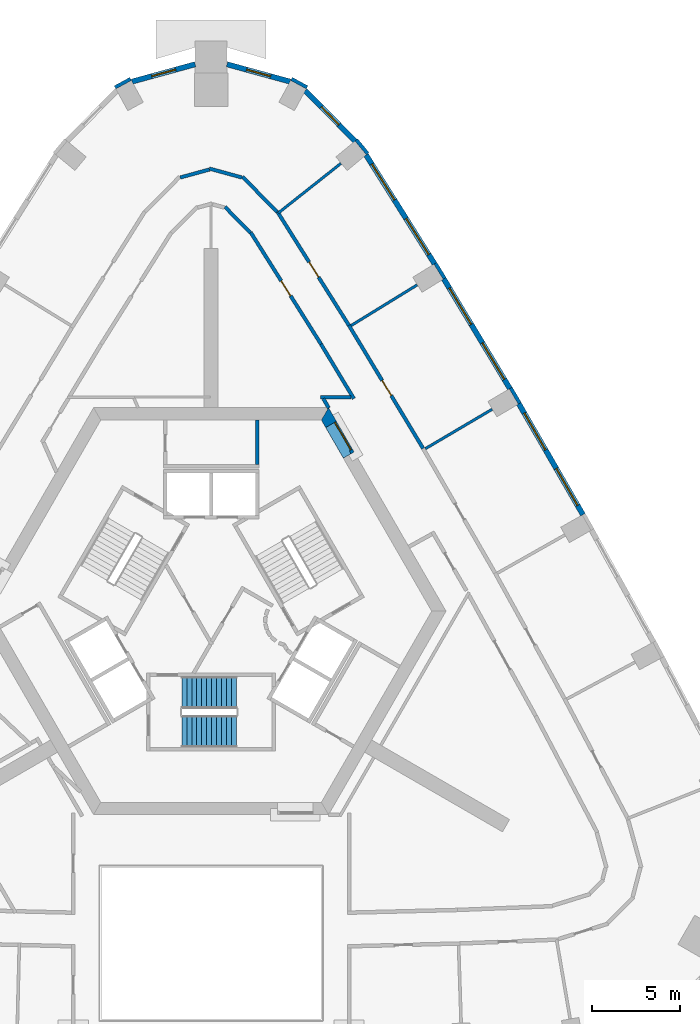
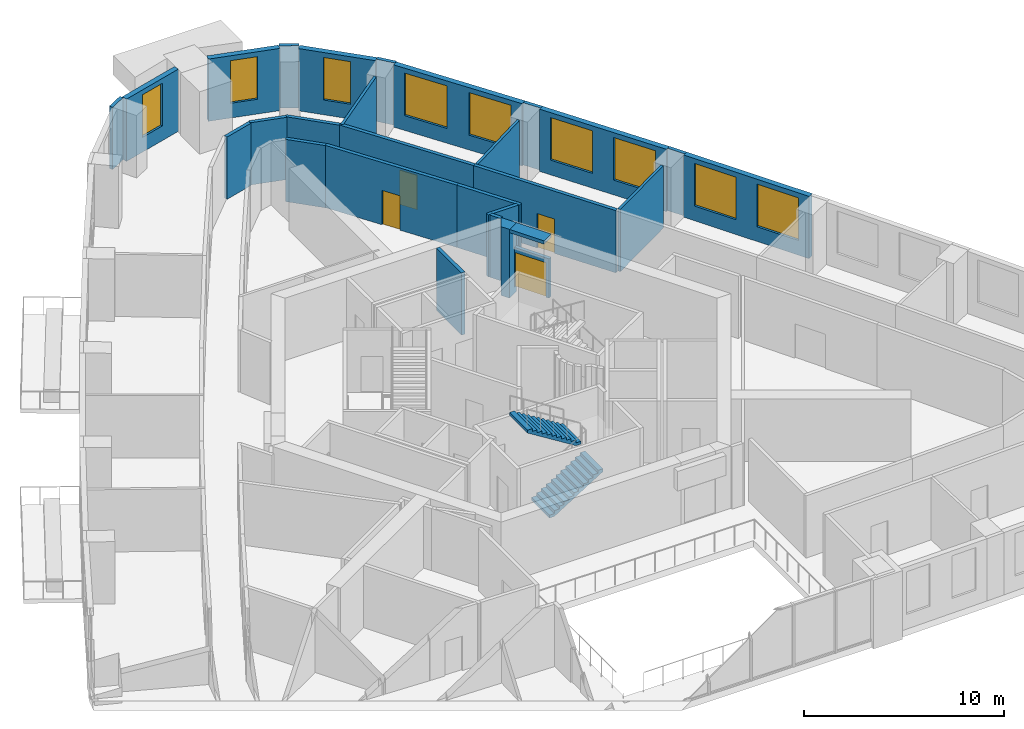
# One storey, part 9 of 13: 28 walls, 9 windows, 4 doors, 2 stair flights, 13 openings, 1 element without a shape of its own.
"""IFC4 building model written with IfcOpenShell, lengths in metres."""

from ifc_helpers import new_model, si_unit, direction, frame, frame_2d, origin, place, context, subcontext, project, spatial, polyline, rectangle, outline, extrude, material, layer, layer_set, type_object, element, fill, aggregate, save


model = new_model("IFC4")

# Units and contexts
model_context = context("Model", 3, precision=1e-05, world=origin(), true_north=direction((0.0, 1.0)))
body_context = subcontext(model_context, "Body", "Model", "MODEL_VIEW")
ifc_project = project(units=[si_unit("LENGTHUNIT", "METRE"), si_unit("AREAUNIT", "SQUARE_METRE"), si_unit("VOLUMEUNIT", "CUBIC_METRE"), si_unit("PLANEANGLEUNIT", "RADIAN"), si_unit("MASSUNIT", "GRAM", prefix="KILO")], contexts=[model_context])

# Site, building, storey
site_placement = place(None, origin())
site = spatial("IfcSite", under=ifc_project, at=site_placement, CompositionType="ELEMENT")
building_placement = place(site_placement, origin())
building = spatial("IfcBuilding", under=site, at=building_placement, Name="Entoto Arch Interchange Tower", CompositionType="ELEMENT")
storey_placement = place(building_placement, frame((0.0, 0.0, 210.800048828125)))
storey = spatial("IfcBuildingStorey", under=building, at=storey_placement, Name="L47", CompositionType="ELEMENT", Elevation=210.800048828125)

# Wall, opening, door
ifc_material_1 = material(Name="Reinforced concrete C40/50", Category="concrete")
ifc_layer_1 = layer(ifc_material_1, 0.199951171875)
ifc_layer_set_1 = layer_set([ifc_layer_1], Name="Reinforced concrete C40/50")
wall_type_1 = type_object("IfcWallType", Name="CORE GAP INFILL WALL", PredefinedType="PARTITIONING", material=ifc_layer_set_1)
wall_1_placement = place(storey_placement, frame((7.9970703125, 11.447998046875, 0.0), z_axis=(0.0, 0.0, 1.0), x_axis=(-0.50002537861, 0.866010750942, 0.0)))
wall_1 = element("IfcWall", 1, at=wall_1_placement, inside=storey, type_object=wall_type_1, Name="wall:L47:gap2", PredefinedType="PARTITIONING", context=body_context, shape_type="SweptSolid", body=[
    extrude(rectangle(XDim=2.0, YDim=0.199951171875, at=frame_2d((1.0, 0.0))), origin(), (0.0, 0.0, 1.0), 2.39990234375),
])
opening_1_placement = place(wall_1_placement, frame((0.18994140625, 0.0, 0.0)))
opening_1 = element("IfcOpeningElement", 2, at=opening_1_placement, cuts=wall_1, Name="Opening L47-D92", PredefinedType="OPENING", context=body_context, shape_type="SweptSolid", body=[
    extrude(rectangle(XDim=1.800048828125, YDim=2.10009765625, at=frame_2d((0.89990234375, 1.050048828125))), frame((0.0, 0.10986328125, 0.0), z_axis=(0.0, -1.0, 0.0), x_axis=(1.0, 0.0, 0.0)), (0.0, 0.0, 1.0), 0.219970703125),
])
ifc_material_2 = material(Name="Fire-rated Steel S235 door and frame", Category="steel")
door_type_1 = type_object("IfcDoorType", Name="DOOR FD-18 1800x2100", OperationType="DOUBLE_DOOR_SINGLE_SWING", PredefinedType="DOOR", material=ifc_material_2)
door_1_placement = place(opening_1_placement, origin())
door_1 = element("IfcDoor", 3, at=door_1_placement, inside=storey, type_object=door_type_1, Name="door:L47:gap2", OperationType="DOUBLE_DOOR_SINGLE_SWING", OverallHeight=2.10009765625, OverallWidth=1.800048828125, PredefinedType="DOOR", context=body_context, shape_type="SweptSolid", body=[
    extrude(rectangle(XDim=1.800048828125, YDim=2.10009765625, at=frame_2d((0.89990234375, 1.050048828125))), frame((0.0, 0.02490234375, 0.0), z_axis=(0.0, -1.0, 0.0), x_axis=(1.0, 0.0, 0.0)), (0.0, 0.0, 1.0), 0.050048828125),
])
fill(opening_1, door_1)

# Walls
ifc_material_3 = material(Name="Concrete C50/60", Category="concrete")
ifc_layer_2 = layer(ifc_material_3, 0.699951171875)
ifc_layer_set_2 = layer_set([ifc_layer_2], Name="Concrete C50/60")
wall_type_2 = type_object("IfcWallType", Name="Core wall 700 C50/60", PredefinedType="SHEAR", material=ifc_layer_set_2)
wall_2_placement = place(storey_placement, frame((0.0, 0.0, -0.400146484375)))
element("IfcWall", 4, at=wall_2_placement, inside=storey, type_object=wall_type_2, Name="Core wall NE L47", PredefinedType="SHEAR", context=body_context, shape_type="SweptSolid", body=[
    extrude(outline(polyline([(6.47802734375, 12.8798828125), (7.083984375, 13.22998046875), (6.639892578125, 14.0), (6.235107421875, 13.300048828125), (6.47802734375, 12.8798828125)])), origin(), (0.0, 0.0, 1.0), 4.2001953125),
])
wall_3_placement = place(storey_placement, frame((0.0, 0.0, 3.599853515625)))
element("IfcWall", 5, at=wall_3_placement, inside=storey, type_object=wall_type_2, Name="Core wall lintel NE L47", PredefinedType="SHEAR", context=body_context, shape_type="SweptSolid", body=[
    extrude(outline(polyline([(7.083984375, 13.22998046875), (6.47802734375, 12.8798828125), (7.47802734375, 11.14794921875), (8.083984375, 11.498046875), (7.083984375, 13.22998046875)])), origin(), (0.0, 0.0, 1.0), 0.2001953125),
])
ifc_material_4 = material(Name="Gypsum board partition on steel studs", Category="steel")
ifc_layer_3 = layer(ifc_material_4, 0.14990234375)
ifc_layer_set_3 = layer_set([ifc_layer_3], Name="Gypsum board partition on steel studs")
wall_type_3 = type_object("IfcWallType", Name="PARTITION 150", PredefinedType="PARTITIONING", material=ifc_layer_set_3)
wall_4_placement = place(storey_placement, frame((12.111083984375, 11.68408203125, 0.0), z_axis=(0.0, 0.0, 1.0), x_axis=(0.861290233547, 0.508113307833, 0.0)))
element("IfcWall", 6, at=wall_4_placement, inside=storey, type_object=wall_type_3, Name="wall:L47:p114", PredefinedType="PARTITIONING", context=body_context, shape_type="SweptSolid", body=[
    extrude(rectangle(XDim=4.380615234375, YDim=0.14990234375, at=frame_2d((2.1904296875, 0.0))), origin(), (0.0, 0.0, 1.0), 3.800048828125),
])
wall_5_placement = place(storey_placement, frame((7.916015625, 18.64404296875, 0.0), z_axis=(0.0, 0.0, 1.0), x_axis=(0.851543444049, 0.524284047914, 0.0)))
element("IfcWall", 7, at=wall_5_placement, inside=storey, type_object=wall_type_3, Name="wall:L47:p115", PredefinedType="PARTITIONING", context=body_context, shape_type="SweptSolid", body=[
    extrude(rectangle(XDim=4.379150390625, YDim=0.14990234375, at=frame_2d((2.189453125, 0.0))), origin(), (0.0, 0.0, 1.0), 3.800048828125),
])
wall_6_placement = place(storey_placement, frame((3.797119140625, 25.0029296875, 0.0), z_axis=(0.0, 0.0, 1.0), x_axis=(0.783893371826, 0.620895467536, 0.0)))
element("IfcWall", 8, at=wall_6_placement, inside=storey, type_object=wall_type_3, Name="wall:L47:p116", PredefinedType="PARTITIONING", context=body_context, shape_type="SweptSolid", body=[
    extrude(rectangle(XDim=4.514404296875, YDim=0.14990234375, at=frame_2d((2.25732421875, 0.0))), origin(), (0.0, 0.0, 1.0), 3.800048828125),
])
ifc_layer_4 = layer(ifc_material_4, 0.199951171875)
ifc_layer_set_4 = layer_set([ifc_layer_4], Name="Gypsum board partition on steel studs")
wall_type_4 = type_object("IfcWallType", Name="PARTITION 200", PredefinedType="PARTITIONING", material=ifc_layer_set_4)
wall_7_placement = place(storey_placement, frame((6.64892578125, 13.988037109375, 0.0), z_axis=(0.0, 0.0, 1.0), x_axis=(-0.499908430952, 0.866078264744, 0.0)))
element("IfcWall", 9, at=wall_7_placement, inside=storey, type_object=wall_type_4, Name="wall:L47:p005", PredefinedType="PARTITIONING", context=body_context, shape_type="SweptSolid", body=[
    extrude(rectangle(XDim=0.60595703125, YDim=0.199951171875, at=frame_2d((0.302978515625, 0.0))), origin(), (0.0, 0.0, 1.0), 3.800048828125),
])
wall_8_placement = place(storey_placement, frame((6.196044921875, 14.60009765625, 0.0), z_axis=(0.0, 0.0, 1.0), x_axis=(1.0, 0.0, 0.0)))
element("IfcWall", 10, at=wall_8_placement, inside=storey, type_object=wall_type_4, Name="wall:L47:p006", PredefinedType="PARTITIONING", context=body_context, shape_type="SweptSolid", body=[
    extrude(rectangle(XDim=1.721923828125, YDim=0.199951171875, at=frame_2d((0.86083984375, 0.0))), origin(), (0.0, 0.0, 1.0), 3.800048828125),
])
wall_9_placement = place(storey_placement, frame((8.070068359375, 14.513916015625, 0.0), z_axis=(0.0, 0.0, 1.0), x_axis=(-0.51624118739, 0.856443247648, 0.0)))
element("IfcWall", 11, at=wall_9_placement, inside=storey, type_object=wall_type_4, Name="wall:L47:p007", PredefinedType="PARTITIONING", context=body_context, shape_type="SweptSolid", body=[
    extrude(rectangle(XDim=3.597412109375, YDim=0.199951171875, at=frame_2d((1.798828125, 0.0))), origin(), (0.0, 0.0, 1.0), 3.800048828125),
])

# Wall, opening, door
wall_10_placement = place(storey_placement, frame((6.212890625, 17.594970703125, 0.0), z_axis=(0.0, 0.0, 1.0), x_axis=(-0.532527247309, 0.846412860768, 0.0)))
wall_10 = element("IfcWall", 12, at=wall_10_placement, inside=storey, type_object=wall_type_4, Name="wall:L47:p008", PredefinedType="PARTITIONING", context=body_context, shape_type="SweptSolid", body=[
    extrude(rectangle(XDim=7.448974609375, YDim=0.199951171875, at=frame_2d((3.724609375, 0.0))), origin(), (0.0, 0.0, 1.0), 3.800048828125),
])
opening_2_placement = place(wall_10_placement, frame((3.22509765625, 0.0, 0.0)))
opening_2 = element("IfcOpeningElement", 13, at=opening_2_placement, cuts=wall_10, Name="Opening L47-D17", PredefinedType="OPENING", context=body_context, shape_type="SweptSolid", body=[
    extrude(rectangle(XDim=1.0, YDim=2.10009765625, at=frame_2d((0.5, 1.050048828125))), frame((0.0, 0.10986328125, 0.0), z_axis=(0.0, -1.0, 0.0), x_axis=(1.0, 0.0, 0.0)), (0.0, 0.0, 1.0), 0.219970703125),
])
ifc_material_5 = material(Name="Timber door leaf in Steel S235 frame", Category="steel")
door_type_2 = type_object("IfcDoorType", Name="DOOR DS-10 1000x2100", OperationType="SINGLE_SWING_LEFT", PredefinedType="DOOR", material=ifc_material_5)
door_2_placement = place(opening_2_placement, origin())
door_2 = element("IfcDoor", 14, at=door_2_placement, inside=storey, type_object=door_type_2, Name="door:L47:17", OperationType="SINGLE_SWING_LEFT", OverallHeight=2.10009765625, OverallWidth=1.0, PredefinedType="DOOR", context=body_context, shape_type="SweptSolid", body=[
    extrude(rectangle(XDim=1.0, YDim=2.10009765625, at=frame_2d((0.5, 1.050048828125))), frame((0.0, 0.02490234375, 0.0), z_axis=(0.0, -1.0, 0.0), x_axis=(1.0, 0.0, 0.0)), (0.0, 0.0, 1.0), 0.050048828125),
])
fill(opening_2, door_2)

# Wall
wall_11_placement = place(storey_placement, frame((2.22900390625, 23.886962890625, 0.0), z_axis=(0.0, 0.0, 1.0), x_axis=(-0.702245482258, 0.711934886523, 0.0)))
element("IfcWall", 15, at=wall_11_placement, inside=storey, type_object=wall_type_4, Name="wall:L47:p009", PredefinedType="PARTITIONING", context=body_context, shape_type="SweptSolid", body=[
    extrude(rectangle(XDim=2.066162109375, YDim=0.199951171875, at=frame_2d((1.033203125, 0.0))), origin(), (0.0, 0.0, 1.0), 3.800048828125),
])

# Wall, opening, door
wall_12_placement = place(storey_placement, frame((7.7919921875, 18.655029296875, 0.0), z_axis=(0.0, 0.0, 1.0), x_axis=(0.516293428925, -0.856411755669, 0.0)))
wall_12 = element("IfcWall", 16, at=wall_12_placement, inside=storey, type_object=wall_type_4, Name="wall:L47:p046", PredefinedType="PARTITIONING", context=body_context, shape_type="SweptSolid", body=[
    extrude(rectangle(XDim=8.12353515625, YDim=0.199951171875, at=frame_2d((4.061767578125, 0.0))), origin(), (0.0, 0.0, 1.0), 3.800048828125),
])
opening_3_placement = place(wall_12_placement, frame((3.636962890625, 0.0, 0.0)))
opening_3 = element("IfcOpeningElement", 17, at=opening_3_placement, cuts=wall_12, Name="Opening L47-D07", PredefinedType="OPENING", context=body_context, shape_type="SweptSolid", body=[
    extrude(rectangle(XDim=1.0, YDim=2.10009765625, at=frame_2d((0.5, 1.050048828125))), frame((0.0, 0.10986328125, 0.0), z_axis=(0.0, -1.0, 0.0), x_axis=(1.0, 0.0, 0.0)), (0.0, 0.0, 1.0), 0.219970703125),
])
door_3_placement = place(opening_3_placement, origin())
door_3 = element("IfcDoor", 18, at=door_3_placement, inside=storey, type_object=door_type_2, Name="door:L47:07", OperationType="SINGLE_SWING_RIGHT", OverallHeight=2.10009765625, OverallWidth=1.0, PredefinedType="DOOR", context=body_context, shape_type="SweptSolid", body=[
    extrude(rectangle(XDim=1.0, YDim=2.10009765625, at=frame_2d((0.5, 1.050048828125))), frame((0.0, 0.02490234375, 0.0), z_axis=(0.0, -1.0, 0.0), x_axis=(1.0, 0.0, 0.0)), (0.0, 0.0, 1.0), 0.050048828125),
])
fill(opening_3, door_3)

wall_13_placement = place(storey_placement, frame((3.743896484375, 25.0869140625, 0.0), z_axis=(0.0, 0.0, 1.0), x_axis=(0.532569549341, -0.846386244639, 0.0)))
wall_13 = element("IfcWall", 19, at=wall_13_placement, inside=storey, type_object=wall_type_4, Name="wall:L47:p047", PredefinedType="PARTITIONING", context=body_context, shape_type="SweptSolid", body=[
    extrude(rectangle(XDim=7.59912109375, YDim=0.199951171875, at=frame_2d((3.799560546875, 0.0))), origin(), (0.0, 0.0, 1.0), 3.800048828125),
])
opening_4_placement = place(wall_13_placement, frame((3.375, 0.0, 0.0)))
opening_4 = element("IfcOpeningElement", 20, at=opening_4_placement, cuts=wall_13, Name="Opening L47-D08", PredefinedType="OPENING", context=body_context, shape_type="SweptSolid", body=[
    extrude(rectangle(XDim=1.0, YDim=2.10009765625, at=frame_2d((0.5, 1.050048828125))), frame((0.0, 0.10986328125, 0.0), z_axis=(0.0, -1.0, 0.0), x_axis=(1.0, 0.0, 0.0)), (0.0, 0.0, 1.0), 0.219970703125),
])
door_4_placement = place(opening_4_placement, origin())
door_4 = element("IfcDoor", 21, at=door_4_placement, inside=storey, type_object=door_type_2, Name="door:L47:08", OperationType="SINGLE_SWING_LEFT", OverallHeight=2.10009765625, OverallWidth=1.0, PredefinedType="DOOR", context=body_context, shape_type="SweptSolid", body=[
    extrude(rectangle(XDim=1.0, YDim=2.10009765625, at=frame_2d((0.5, 1.050048828125))), frame((0.0, 0.02490234375, 0.0), z_axis=(0.0, -1.0, 0.0), x_axis=(1.0, 0.0, 0.0)), (0.0, 0.0, 1.0), 0.050048828125),
])
fill(opening_4, door_4)

# Walls
wall_14_placement = place(storey_placement, frame((-1.7470703125, 27.010986328125, 0.0), z_axis=(0.0, 0.0, 1.0), x_axis=(0.96452646446, 0.263986172662, 0.0)))
element("IfcWall", 22, at=wall_14_placement, inside=storey, type_object=wall_type_4, Name="wall:L47:p050", PredefinedType="PARTITIONING", context=body_context, shape_type="SweptSolid", body=[
    extrude(rectangle(XDim=1.7119140625, YDim=0.199951171875, at=frame_2d((0.85595703125, 0.0))), origin(), (0.0, 0.0, 1.0), 3.800048828125),
])
wall_15_placement = place(storey_placement, frame((-0.095947265625, 27.51611328125, 0.0), z_axis=(0.0, 0.0, 1.0), x_axis=(0.964432860438, -0.264327935918, 0.0)))
element("IfcWall", 23, at=wall_15_placement, inside=storey, type_object=wall_type_4, Name="wall:L47:p051", PredefinedType="PARTITIONING", context=body_context, shape_type="SweptSolid", body=[
    extrude(rectangle(XDim=1.910888671875, YDim=0.199951171875, at=frame_2d((0.95556640625, 0.0))), origin(), (0.0, 0.0, 1.0), 3.800048828125),
])
wall_16_placement = place(storey_placement, frame((1.77294921875, 27.055908203125, 0.0), z_axis=(0.0, 0.0, 1.0), x_axis=(0.702089218366, -0.712088989842, 0.0)))
element("IfcWall", 24, at=wall_16_placement, inside=storey, type_object=wall_type_4, Name="wall:L47:p052", PredefinedType="PARTITIONING", context=body_context, shape_type="SweptSolid", body=[
    extrude(rectangle(XDim=2.783203125, YDim=0.199951171875, at=frame_2d((1.3916015625, 0.0))), origin(), (0.0, 0.0, 1.0), 3.800048828125),
])
wall_17_placement = place(storey_placement, frame((2.60009765625, 13.300048828125, 0.0), z_axis=(0.0, 0.0, 1.0), x_axis=(0.0, -1.0, 0.0)))
element("IfcWall", 25, at=wall_17_placement, inside=storey, type_object=wall_type_4, Name="wall:L47:p067", PredefinedType="PARTITIONING", context=body_context, shape_type="SweptSolid", body=[
    extrude(rectangle(XDim=2.5, YDim=0.199951171875, at=frame_2d((1.25, 0.0))), origin(), (0.0, 0.0, 1.0), 3.800048828125),
])

# Wall, openings, windows
ifc_material_6 = material(Name="Welded tuff (ignimbrite) cladding, warm buff", Category="masonry")
ifc_layer_5 = layer(ifc_material_6, 0.300048828125)
ifc_layer_set_5 = layer_set([ifc_layer_5], Name="Welded tuff (ignimbrite) cladding, warm buff")
wall_type_5 = type_object("IfcWallType", Name="STONE INFILL WALL 300", PredefinedType="STANDARD", material=ifc_layer_set_5)
wall_18_placement = place(storey_placement, frame((21.01904296875, 7.955078125, 0.0), z_axis=(0.0, 0.0, 1.0), x_axis=(-0.500012402131, 0.866018243292, 0.0)))
wall_18 = element("IfcWall", 26, at=wall_18_placement, inside=storey, type_object=wall_type_5, Name="Facade wall NE-03 L47", PredefinedType="STANDARD", context=body_context, shape_type="SweptSolid", body=[
    extrude(rectangle(XDim=7.239990234375, YDim=0.300048828125, at=frame_2d((3.6201171875, 0.0))), origin(), (0.0, 0.0, 1.0), 3.800048828125),
])
opening_5_placement = place(wall_18_placement, frame((0.610107421875, 0.0, 0.89990234375)))
opening_5 = element("IfcOpeningElement", 27, at=opening_5_placement, cuts=wall_18, Name="Opening WO-A", PredefinedType="OPENING", context=body_context, shape_type="SweptSolid", body=[
    extrude(rectangle(XDim=2.39990234375, YDim=2.60009765625, at=frame_2d((1.199951171875, 1.300048828125))), frame((0.0, 0.16015625, 0.0), z_axis=(0.0, -1.0, 0.0), x_axis=(1.0, 0.0, 0.0)), (0.0, 0.0, 1.0), 0.320068359375),
])
opening_6_placement = place(wall_18_placement, frame((4.22998046875, 0.0, 0.89990234375)))
opening_6 = element("IfcOpeningElement", 28, at=opening_6_placement, cuts=wall_18, Name="Opening WO-A", PredefinedType="OPENING", context=body_context, shape_type="SweptSolid", body=[
    extrude(rectangle(XDim=2.39990234375, YDim=2.60009765625, at=frame_2d((1.199951171875, 1.300048828125))), frame((0.0, 0.16015625, 0.0), z_axis=(0.0, -1.0, 0.0), x_axis=(1.0, 0.0, 0.0)), (0.0, 0.0, 1.0), 0.320068359375),
])
ifc_material_7 = material(Name="Clear glass, low-e double glazed", Category="glass")
window_type_1 = type_object("IfcWindowType", Name="WINDOW WO-A 2400x2600", PartitioningType="DOUBLE_PANEL_VERTICAL", PredefinedType="WINDOW", material=ifc_material_7)
window_1_placement = place(opening_5_placement, origin())
window_1 = element("IfcWindow", 29, at=window_1_placement, inside=storey, type_object=window_type_1, Name="Window WO-A NE-03 L47", OverallHeight=2.60009765625, OverallWidth=2.39990234375, PartitioningType="SINGLE_PANEL", PredefinedType="WINDOW", context=body_context, shape_type="SweptSolid", body=[
    extrude(rectangle(XDim=2.39990234375, YDim=2.60009765625, at=frame_2d((1.199951171875, 1.300048828125))), frame((0.0, 0.030029296875, 0.0), z_axis=(0.0, -1.0, 0.0), x_axis=(1.0, 0.0, 0.0)), (0.0, 0.0, 1.0), 0.06005859375),
])
fill(opening_5, window_1)
window_2_placement = place(opening_6_placement, origin())
window_2 = element("IfcWindow", 30, at=window_2_placement, inside=storey, type_object=window_type_1, Name="Window WO-A NE-03 L47", OverallHeight=2.60009765625, OverallWidth=2.39990234375, PartitioningType="SINGLE_PANEL", PredefinedType="WINDOW", context=body_context, shape_type="SweptSolid", body=[
    extrude(rectangle(XDim=2.39990234375, YDim=2.60009765625, at=frame_2d((1.199951171875, 1.300048828125))), frame((0.0, 0.030029296875, 0.0), z_axis=(0.0, -1.0, 0.0), x_axis=(1.0, 0.0, 0.0)), (0.0, 0.0, 1.0), 0.06005859375),
])
fill(opening_6, window_2)

wall_19_placement = place(storey_placement, frame((16.89208984375, 15.083984375, 0.0), z_axis=(0.0, 0.0, 1.0), x_axis=(-0.516230553484, 0.856449657394, 0.0)))
wall_19 = element("IfcWall", 31, at=wall_19_placement, inside=storey, type_object=wall_type_5, Name="Facade wall NE-04 L47", PredefinedType="STANDARD", context=body_context, shape_type="SweptSolid", body=[
    extrude(rectangle(XDim=7.239013671875, YDim=0.300048828125, at=frame_2d((3.61962890625, 0.0))), origin(), (0.0, 0.0, 1.0), 3.800048828125),
])
opening_7_placement = place(wall_19_placement, frame((0.610107421875, 0.0, 0.89990234375)))
opening_7 = element("IfcOpeningElement", 32, at=opening_7_placement, cuts=wall_19, Name="Opening WO-A", PredefinedType="OPENING", context=body_context, shape_type="SweptSolid", body=[
    extrude(rectangle(XDim=2.39990234375, YDim=2.60009765625, at=frame_2d((1.199951171875, 1.300048828125))), frame((0.0, 0.16015625, 0.0), z_axis=(0.0, -1.0, 0.0), x_axis=(1.0, 0.0, 0.0)), (0.0, 0.0, 1.0), 0.320068359375),
])
opening_8_placement = place(wall_19_placement, frame((4.22900390625, 0.0, 0.89990234375)))
opening_8 = element("IfcOpeningElement", 33, at=opening_8_placement, cuts=wall_19, Name="Opening WO-A", PredefinedType="OPENING", context=body_context, shape_type="SweptSolid", body=[
    extrude(rectangle(XDim=2.39990234375, YDim=2.60009765625, at=frame_2d((1.199951171875, 1.300048828125))), frame((0.0, 0.16015625, 0.0), z_axis=(0.0, -1.0, 0.0), x_axis=(1.0, 0.0, 0.0)), (0.0, 0.0, 1.0), 0.320068359375),
])
window_3_placement = place(opening_7_placement, origin())
window_3 = element("IfcWindow", 34, at=window_3_placement, inside=storey, type_object=window_type_1, Name="Window WO-A NE-04 L47", OverallHeight=2.60009765625, OverallWidth=2.39990234375, PartitioningType="SINGLE_PANEL", PredefinedType="WINDOW", context=body_context, shape_type="SweptSolid", body=[
    extrude(rectangle(XDim=2.39990234375, YDim=2.60009765625, at=frame_2d((1.199951171875, 1.300048828125))), frame((0.0, 0.030029296875, 0.0), z_axis=(0.0, -1.0, 0.0), x_axis=(1.0, 0.0, 0.0)), (0.0, 0.0, 1.0), 0.06005859375),
])
fill(opening_7, window_3)
window_4_placement = place(opening_8_placement, origin())
window_4 = element("IfcWindow", 35, at=window_4_placement, inside=storey, type_object=window_type_1, Name="Window WO-A NE-04 L47", OverallHeight=2.60009765625, OverallWidth=2.39990234375, PartitioningType="SINGLE_PANEL", PredefinedType="WINDOW", context=body_context, shape_type="SweptSolid", body=[
    extrude(rectangle(XDim=2.39990234375, YDim=2.60009765625, at=frame_2d((1.199951171875, 1.300048828125))), frame((0.0, 0.030029296875, 0.0), z_axis=(0.0, -1.0, 0.0), x_axis=(1.0, 0.0, 0.0)), (0.0, 0.0, 1.0), 0.06005859375),
])
fill(opening_8, window_4)

wall_20_placement = place(storey_placement, frame((12.632080078125, 22.134033203125, 0.0), z_axis=(0.0, 0.0, 1.0), x_axis=(-0.532522107002, 0.84641609481, 0.0)))
wall_20 = element("IfcWall", 36, at=wall_20_placement, inside=storey, type_object=wall_type_5, Name="Facade wall NE-05 L47", PredefinedType="STANDARD", context=body_context, shape_type="SweptSolid", body=[
    extrude(rectangle(XDim=7.27294921875, YDim=0.300048828125, at=frame_2d((3.636474609375, 0.0))), origin(), (0.0, 0.0, 1.0), 3.800048828125),
])
opening_9_placement = place(wall_20_placement, frame((0.617919921875, 0.0, 0.89990234375)))
opening_9 = element("IfcOpeningElement", 37, at=opening_9_placement, cuts=wall_20, Name="Opening WO-A", PredefinedType="OPENING", context=body_context, shape_type="SweptSolid", body=[
    extrude(rectangle(XDim=2.39990234375, YDim=2.60009765625, at=frame_2d((1.199951171875, 1.300048828125))), frame((0.0, 0.16015625, 0.0), z_axis=(0.0, -1.0, 0.0), x_axis=(1.0, 0.0, 0.0)), (0.0, 0.0, 1.0), 0.320068359375),
])
opening_10_placement = place(wall_20_placement, frame((4.2548828125, 0.0, 0.89990234375)))
opening_10 = element("IfcOpeningElement", 38, at=opening_10_placement, cuts=wall_20, Name="Opening WO-A", PredefinedType="OPENING", context=body_context, shape_type="SweptSolid", body=[
    extrude(rectangle(XDim=2.39990234375, YDim=2.60009765625, at=frame_2d((1.199951171875, 1.300048828125))), frame((0.0, 0.16015625, 0.0), z_axis=(0.0, -1.0, 0.0), x_axis=(1.0, 0.0, 0.0)), (0.0, 0.0, 1.0), 0.320068359375),
])
window_5_placement = place(opening_9_placement, origin())
window_5 = element("IfcWindow", 39, at=window_5_placement, inside=storey, type_object=window_type_1, Name="Window WO-A NE-05 L47", OverallHeight=2.60009765625, OverallWidth=2.39990234375, PartitioningType="SINGLE_PANEL", PredefinedType="WINDOW", context=body_context, shape_type="SweptSolid", body=[
    extrude(rectangle(XDim=2.39990234375, YDim=2.60009765625, at=frame_2d((1.199951171875, 1.300048828125))), frame((0.0, 0.030029296875, 0.0), z_axis=(0.0, -1.0, 0.0), x_axis=(1.0, 0.0, 0.0)), (0.0, 0.0, 1.0), 0.06005859375),
])
fill(opening_9, window_5)
window_6_placement = place(opening_10_placement, origin())
window_6 = element("IfcWindow", 40, at=window_6_placement, inside=storey, type_object=window_type_1, Name="Window WO-A NE-05 L47", OverallHeight=2.60009765625, OverallWidth=2.39990234375, PartitioningType="SINGLE_PANEL", PredefinedType="WINDOW", context=body_context, shape_type="SweptSolid", body=[
    extrude(rectangle(XDim=2.39990234375, YDim=2.60009765625, at=frame_2d((1.199951171875, 1.300048828125))), frame((0.0, 0.030029296875, 0.0), z_axis=(0.0, -1.0, 0.0), x_axis=(1.0, 0.0, 0.0)), (0.0, 0.0, 1.0), 0.06005859375),
])
fill(opening_10, window_6)

# Wall, opening, window
wall_21_placement = place(storey_placement, frame((8.138916015625, 29.072998046875, 0.0), z_axis=(0.0, 0.0, 1.0), x_axis=(-0.70209072612, 0.712087503258, 0.0)))
wall_21 = element("IfcWall", 41, at=wall_21_placement, inside=storey, type_object=wall_type_5, Name="Facade wall N-01 L47", PredefinedType="STANDARD", context=body_context, shape_type="SweptSolid", body=[
    extrude(rectangle(XDim=4.005126953125, YDim=0.300048828125, at=frame_2d((2.00244140625, 0.0))), origin(), (0.0, 0.0, 1.0), 3.800048828125),
])
opening_11_placement = place(wall_21_placement, frame((1.302978515625, 0.0, 0.89990234375)))
opening_11 = element("IfcOpeningElement", 42, at=opening_11_placement, cuts=wall_21, Name="Opening WO-B", PredefinedType="OPENING", context=body_context, shape_type="SweptSolid", body=[
    extrude(rectangle(XDim=1.39990234375, YDim=2.60009765625, at=frame_2d((0.699951171875, 1.300048828125))), frame((0.0, 0.16015625, 0.0), z_axis=(0.0, -1.0, 0.0), x_axis=(1.0, 0.0, 0.0)), (0.0, 0.0, 1.0), 0.320068359375),
])
window_type_2 = type_object("IfcWindowType", Name="WINDOW WO-B 1400x2600", PartitioningType="DOUBLE_PANEL_VERTICAL", PredefinedType="WINDOW", material=ifc_material_7)
window_7_placement = place(opening_11_placement, origin())
window_7 = element("IfcWindow", 43, at=window_7_placement, inside=storey, type_object=window_type_2, Name="Window WO-B N-01 L47", OverallHeight=2.60009765625, OverallWidth=1.39990234375, PartitioningType="SINGLE_PANEL", PredefinedType="WINDOW", context=body_context, shape_type="SweptSolid", body=[
    extrude(rectangle(XDim=1.39990234375, YDim=2.60009765625, at=frame_2d((0.699951171875, 1.300048828125))), frame((0.0, 0.030029296875, 0.0), z_axis=(0.0, -1.0, 0.0), x_axis=(1.0, 0.0, 0.0)), (0.0, 0.0, 1.0), 0.06005859375),
])
fill(opening_11, window_7)

wall_22_placement = place(storey_placement, frame((4.468017578125, 32.43408203125, 0.0), z_axis=(0.0, 0.0, 1.0), x_axis=(-0.964377639434, 0.264529334026, 0.0)))
wall_22 = element("IfcWall", 44, at=wall_22_placement, inside=storey, type_object=wall_type_5, Name="Facade wall N-02 L47", PredefinedType="STANDARD", context=body_context, shape_type="SweptSolid", body=[
    extrude(rectangle(XDim=3.700927734375, YDim=0.300048828125, at=frame_2d((1.8505859375, 0.0))), origin(), (0.0, 0.0, 1.0), 3.800048828125),
])
opening_12_placement = place(wall_22_placement, frame((1.14990234375, 0.0, 0.89990234375)))
opening_12 = element("IfcOpeningElement", 45, at=opening_12_placement, cuts=wall_22, Name="Opening WO-B", PredefinedType="OPENING", context=body_context, shape_type="SweptSolid", body=[
    extrude(rectangle(XDim=1.39990234375, YDim=2.60009765625, at=frame_2d((0.699951171875, 1.300048828125))), frame((0.0, 0.16015625, 0.0), z_axis=(0.0, -1.0, 0.0), x_axis=(1.0, 0.0, 0.0)), (0.0, 0.0, 1.0), 0.320068359375),
])
window_8_placement = place(opening_12_placement, origin())
window_8 = element("IfcWindow", 46, at=window_8_placement, inside=storey, type_object=window_type_2, Name="Window WO-B N-02 L47", OverallHeight=2.60009765625, OverallWidth=1.39990234375, PartitioningType="SINGLE_PANEL", PredefinedType="WINDOW", context=body_context, shape_type="SweptSolid", body=[
    extrude(rectangle(XDim=1.39990234375, YDim=2.60009765625, at=frame_2d((0.699951171875, 1.300048828125))), frame((0.0, 0.030029296875, 0.0), z_axis=(0.0, -1.0, 0.0), x_axis=(1.0, 0.0, 0.0)), (0.0, 0.0, 1.0), 0.06005859375),
])
fill(opening_12, window_8)

wall_23_placement = place(storey_placement, frame((-0.89892578125, 33.4130859375, 0.0), z_axis=(0.0, 0.0, 1.0), x_axis=(-0.964377639434, -0.264529334026, 0.0)))
wall_23 = element("IfcWall", 47, at=wall_23_placement, inside=storey, type_object=wall_type_5, Name="Facade wall N-03 L47", PredefinedType="STANDARD", context=body_context, shape_type="SweptSolid", body=[
    extrude(rectangle(XDim=3.700927734375, YDim=0.300048828125, at=frame_2d((1.8505859375, 0.0))), origin(), (0.0, 0.0, 1.0), 3.800048828125),
])
opening_13_placement = place(wall_23_placement, frame((1.14990234375, 0.0, 0.89990234375)))
opening_13 = element("IfcOpeningElement", 48, at=opening_13_placement, cuts=wall_23, Name="Opening WO-B", PredefinedType="OPENING", context=body_context, shape_type="SweptSolid", body=[
    extrude(rectangle(XDim=1.39990234375, YDim=2.60009765625, at=frame_2d((0.699951171875, 1.300048828125))), frame((0.0, 0.16015625, 0.0), z_axis=(0.0, -1.0, 0.0), x_axis=(1.0, 0.0, 0.0)), (0.0, 0.0, 1.0), 0.320068359375),
])
window_9_placement = place(opening_13_placement, origin())
window_9 = element("IfcWindow", 49, at=window_9_placement, inside=storey, type_object=window_type_2, Name="Window WO-B N-03 L47", OverallHeight=2.60009765625, OverallWidth=1.39990234375, PartitioningType="SINGLE_PANEL", PredefinedType="WINDOW", context=body_context, shape_type="SweptSolid", body=[
    extrude(rectangle(XDim=1.39990234375, YDim=2.60009765625, at=frame_2d((0.699951171875, 1.300048828125))), frame((0.0, 0.030029296875, 0.0), z_axis=(0.0, -1.0, 0.0), x_axis=(1.0, 0.0, 0.0)), (0.0, 0.0, 1.0), 0.06005859375),
])
fill(opening_13, window_9)

# Walls
ifc_layer_6 = layer(ifc_material_6, 0.199951171875)
ifc_layer_set_6 = layer_set([ifc_layer_6], Name="Welded tuff (ignimbrite) cladding, warm buff")
wall_type_6 = type_object("IfcWallType", Name="STONE PIER CLADDING 200", PredefinedType="STANDARD", material=ifc_layer_set_6)
for number, where, z_axis, x_axis, name in (
    (50, (5.427001953125, 32.10693359375, 0.0), (0.0, 0.0, 1.0), (-0.878250009632, 0.478201757191, 0.0), "Stone pier N1 L47"),
    (51, (-4.549072265625, 32.5849609375, 0.0), (0.0, 0.0, 1.0), (-0.878250009632, -0.478201757191, 0.0), "Stone pier N3 L47"),
    (52, (17.447021484375, 14.251953125, 0.0), (0.0, 0.0, 1.0), (-0.508161541526, 0.861261776531, 0.0), "Stone pier NE04 L47"),
):
    element("IfcWall", number, at=place(storey_placement, frame(where, z_axis=z_axis, x_axis=x_axis)), inside=storey, type_object=wall_type_6, Name=name, PredefinedType="STANDARD", context=body_context, shape_type="SweptSolid", body=[
        extrude(rectangle(XDim=0.999755859375, YDim=0.199951171875, at=frame_2d((0.5, 0.0))), origin(), (0.0, 0.0, 1.0), 3.800048828125),
    ])
wall_24_placement = place(storey_placement, frame((13.202880859375, 21.31201171875, 0.0), z_axis=(0.0, 0.0, 1.0), x_axis=(-0.525648735675, 0.850701714282, 0.0)))
element("IfcWall", 53, at=wall_24_placement, inside=storey, type_object=wall_type_6, Name="Stone pier NE05 L47", PredefinedType="STANDARD", context=body_context, shape_type="SweptSolid", body=[
    extrude(rectangle(XDim=1.00048828125, YDim=0.199951171875, at=frame_2d((0.500244140625, 0.0))), origin(), (0.0, 0.0, 1.0), 3.800048828125),
])
wall_25_placement = place(storey_placement, frame((8.84912109375, 28.364013671875, 0.0), z_axis=(0.0, 0.0, 1.0), x_axis=(-0.638117112481, 0.769939316283, 0.0)))
element("IfcWall", 54, at=wall_25_placement, inside=storey, type_object=wall_type_6, Name="Stone pier NE06 L47", PredefinedType="STANDARD", context=body_context, shape_type="SweptSolid", body=[
    extrude(rectangle(XDim=1.0, YDim=0.199951171875, at=frame_2d((0.5, 0.0))), origin(), (0.0, 0.0, 1.0), 3.800048828125),
])

# Stair, stair flights
ifc_material_8 = material(Name="Concrete C40/50", Category="concrete")
stair_type = type_object("IfcStairType", Name="EXIT STAIR RC 1800", PredefinedType="HALF_TURN_STAIR", material=ifc_material_8)
stair_placement = place(storey_placement, origin())
stair = element("IfcStair", 55, at=stair_placement, inside=storey, type_object=stair_type, Name="L47 Exit stair S", PredefinedType="HALF_TURN_STAIR")
stair_flight_type = type_object("IfcStairFlightType", Name="EXIT STAIR FLIGHT RC 1800", PredefinedType="STRAIGHT", material=ifc_material_8)
stair_flight_1_placement = place(storey_placement, frame((-1.64990234375, -4.300048828125, 0.0), z_axis=(0.0, 0.0, 1.0), x_axis=(1.0, 0.0, 0.0)))
stair_flight_1 = element("IfcStairFlight", 56, at=stair_flight_1_placement, type_object=stair_flight_type, Name="ST-S flight 1", NumberOfRisers=12, NumberOfTreads=11, PredefinedType="STRAIGHT", RiserHeight=0.175, TreadLength=0.28, context=body_context, shape_type="SweptSolid", body=[
    extrude(outline(polyline([(-0.0029296875, 0.0), (-0.0029296875, 0.175048828125), (0.280029296875, 0.175048828125), (0.280029296875, 0.35009765625), (0.56005859375, 0.35009765625), (0.56005859375, 0.52490234375), (0.840087890625, 0.52490234375), (0.840087890625, 0.699951171875), (1.1201171875, 0.699951171875), (1.1201171875, 0.875), (1.39990234375, 0.875), (1.39990234375, 1.050048828125), (1.679931640625, 1.050048828125), (1.679931640625, 1.22509765625), (1.9599609375, 1.22509765625), (1.9599609375, 1.39990234375), (2.239990234375, 1.39990234375), (2.239990234375, 1.574951171875), (2.52001953125, 1.574951171875), (2.52001953125, 1.75), (2.800048828125, 1.75), (2.800048828125, 1.925048828125), (3.080078125, 1.925048828125), (3.0830078125, 1.925048828125), (3.0830078125, 1.75), (0.28271484375, 0.0), (-0.0029296875, 0.0)])), frame((0.0, 0.89990234375, 0.0), z_axis=(0.0, -1.0, 0.0), x_axis=(1.0, 0.0, 0.0)), (0.0, 0.0, 1.0), 1.800048828125),
])
stair_flight_2_placement = place(storey_placement, frame((1.429931640625, -2.10009765625, 2.099853515625), z_axis=(0.0, 0.0, 1.0), x_axis=(-1.0, 0.0, 0.0)))
stair_flight_2 = element("IfcStairFlight", 57, at=stair_flight_2_placement, type_object=stair_flight_type, Name="ST-S flight 2", NumberOfRisers=12, NumberOfTreads=11, PredefinedType="STRAIGHT", RiserHeight=0.175, TreadLength=0.28, context=body_context, shape_type="SweptSolid", body=[
    extrude(outline(polyline([(-0.0029296875, 0.0), (-0.0029296875, 0.175048828125), (0.280029296875, 0.175048828125), (0.280029296875, 0.35009765625), (0.56005859375, 0.35009765625), (0.56005859375, 0.52490234375), (0.840087890625, 0.52490234375), (0.840087890625, 0.699951171875), (1.1201171875, 0.699951171875), (1.1201171875, 0.875), (1.39990234375, 0.875), (1.39990234375, 1.050048828125), (1.679931640625, 1.050048828125), (1.679931640625, 1.22509765625), (1.9599609375, 1.22509765625), (1.9599609375, 1.39990234375), (2.239990234375, 1.39990234375), (2.239990234375, 1.574951171875), (2.52001953125, 1.574951171875), (2.52001953125, 1.75), (2.800048828125, 1.75), (2.800048828125, 1.925048828125), (3.080078125, 1.925048828125), (3.0830078125, 1.925048828125), (3.0830078125, 1.75), (0.28271484375, 0.0), (-0.0029296875, 0.0)])), frame((0.0, 0.89990234375, 0.0), z_axis=(0.0, -1.0, 0.0), x_axis=(1.0, 0.0, 0.0)), (0.0, 0.0, 1.0), 1.800048828125),
])
aggregate(stair, [stair_flight_1, stair_flight_2])

save(model, "model.ifc")
